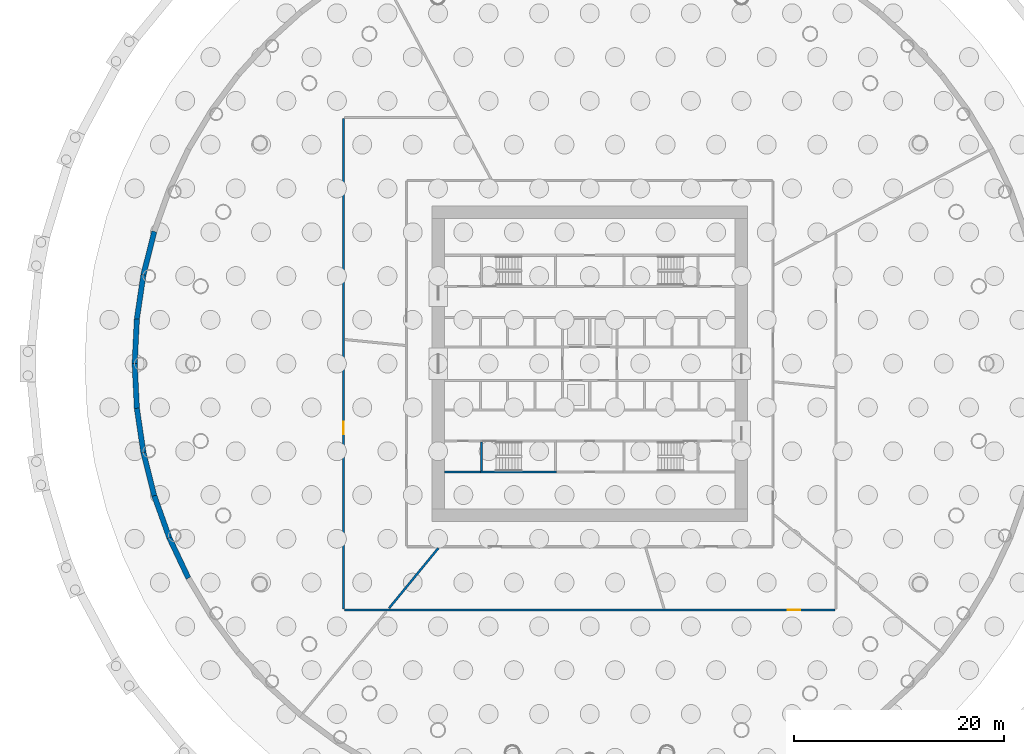
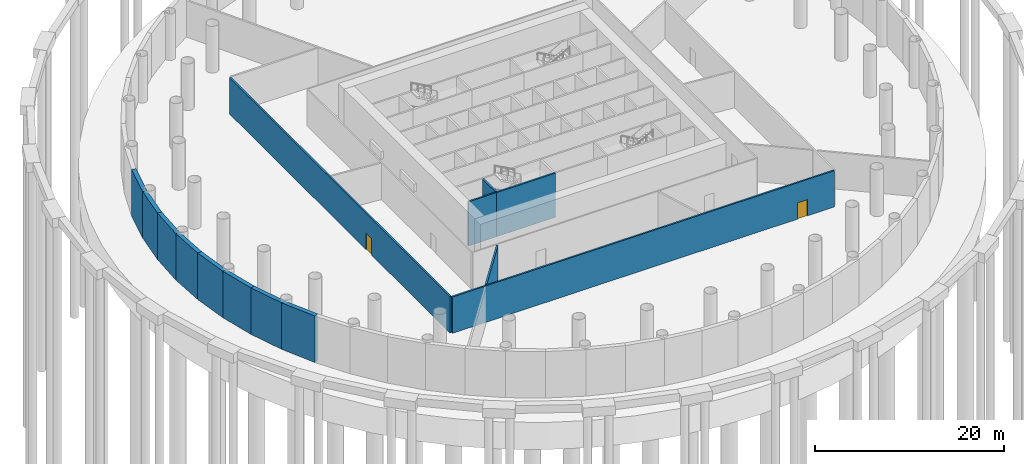
# One storey, part 5 of 12: 14 walls, 2 doors, 2 openings.
"""IFC4 building model written with IfcOpenShell, lengths in metres."""

from ifc_helpers import new_model, si_unit, direction, frame, frame_2d, origin, place, context, subcontext, project, spatial, polyline, rectangle, outline, extrude, material, layer, layer_set, type_object, element, fill, save


model = new_model("IFC4")

# Units and contexts
model_context = context("Model", 3, precision=1e-05, world=origin(), true_north=direction((0.0, 1.0)))
body_context = subcontext(model_context, "Body", "Model", "MODEL_VIEW")
ifc_project = project(units=[si_unit("LENGTHUNIT", "METRE"), si_unit("AREAUNIT", "SQUARE_METRE"), si_unit("VOLUMEUNIT", "CUBIC_METRE"), si_unit("PLANEANGLEUNIT", "RADIAN"), si_unit("MASSUNIT", "GRAM", prefix="KILO")], contexts=[model_context])

# Site, building, storey
site_placement = place(None, origin())
site = spatial("IfcSite", under=ifc_project, at=site_placement, CompositionType="ELEMENT")
building_placement = place(site_placement, origin())
building = spatial("IfcBuilding", under=site, at=building_placement, Name="Corvane Civic Tower", CompositionType="ELEMENT")
storey_placement = place(building_placement, frame((0.0, 0.0, -6.0)))
storey = spatial("IfcBuildingStorey", under=building, at=storey_placement, Name="B1", CompositionType="ELEMENT", Elevation=-6.0)

# Walls
ifc_material_1 = material(Name="Concrete C40/50", Category="concrete")
ifc_layer_1 = layer(ifc_material_1, 0.5)
ifc_layer_set_1 = layer_set([ifc_layer_1], Name="Concrete C40/50")
wall_type_1 = type_object("IfcWallType", Name="BASEMENT RETAINING WALL 500", PredefinedType="SOLIDWALL", material=ifc_layer_set_1)
wall_1_placement = place(storey_placement, frame((0.0, 0.0, -0.300048828125)))
element("IfcWall", 1, at=wall_1_placement, inside=storey, type_object=wall_type_1, Name="Basement retaining wall 14", PredefinedType="SOLIDWALL", context=body_context, shape_type="SweptSolid", body=[
    extrude(outline(polyline([(-41.1484375, 12.482177734375), (-42.173828125, 8.388916015625), (-42.664794921875, 8.486572265625), (-41.62744140625, 12.62744140625), (-41.1484375, 12.482177734375)])), origin(), (0.0, 0.0, 1.0), 6.0),
])
wall_2_placement = place(storey_placement, frame((0.0, 0.0, -0.300048828125)))
element("IfcWall", 2, at=wall_2_placement, inside=storey, type_object=wall_type_1, Name="Basement retaining wall 15", PredefinedType="SOLIDWALL", context=body_context, shape_type="SweptSolid", body=[
    extrude(outline(polyline([(-42.173828125, 8.388916015625), (-42.79296875, 4.21484375), (-43.291015625, 4.263916015625), (-42.664794921875, 8.486572265625), (-42.173828125, 8.388916015625)])), origin(), (0.0, 0.0, 1.0), 6.0),
])
wall_3_placement = place(storey_placement, frame((0.0, 0.0, -0.300048828125)))
element("IfcWall", 3, at=wall_3_placement, inside=storey, type_object=wall_type_1, Name="Basement retaining wall 16", PredefinedType="SOLIDWALL", context=body_context, shape_type="SweptSolid", body=[
    extrude(outline(polyline([(-42.79296875, 4.21484375), (-43.0, 0.0), (-43.50048828125, 0.0), (-43.291015625, 4.263916015625), (-42.79296875, 4.21484375)])), origin(), (0.0, 0.0, 1.0), 6.0),
])
wall_4_placement = place(storey_placement, frame((0.0, 0.0, -0.300048828125)))
element("IfcWall", 4, at=wall_4_placement, inside=storey, type_object=wall_type_1, Name="Basement retaining wall 17", PredefinedType="SOLIDWALL", context=body_context, shape_type="SweptSolid", body=[
    extrude(outline(polyline([(-43.0, 0.0), (-42.79296875, -4.21484375), (-43.291015625, -4.263916015625), (-43.50048828125, 0.0), (-43.0, 0.0)])), origin(), (0.0, 0.0, 1.0), 6.0),
])
wall_5_placement = place(storey_placement, frame((0.0, 0.0, -0.300048828125)))
element("IfcWall", 5, at=wall_5_placement, inside=storey, type_object=wall_type_1, Name="Basement retaining wall 18", PredefinedType="SOLIDWALL", context=body_context, shape_type="SweptSolid", body=[
    extrude(outline(polyline([(-42.79296875, -4.21484375), (-42.173828125, -8.388916015625), (-42.664794921875, -8.486572265625), (-43.291015625, -4.263916015625), (-42.79296875, -4.21484375)])), origin(), (0.0, 0.0, 1.0), 6.0),
])
wall_6_placement = place(storey_placement, frame((0.0, 0.0, -0.300048828125)))
element("IfcWall", 6, at=wall_6_placement, inside=storey, type_object=wall_type_1, Name="Basement retaining wall 19", PredefinedType="SOLIDWALL", context=body_context, shape_type="SweptSolid", body=[
    extrude(outline(polyline([(-42.173828125, -8.388916015625), (-41.1484375, -12.482177734375), (-41.62744140625, -12.62744140625), (-42.664794921875, -8.486572265625), (-42.173828125, -8.388916015625)])), origin(), (0.0, 0.0, 1.0), 6.0),
])
wall_7_placement = place(storey_placement, frame((0.0, 0.0, -0.300048828125)))
element("IfcWall", 7, at=wall_7_placement, inside=storey, type_object=wall_type_1, Name="Basement retaining wall 20", PredefinedType="SOLIDWALL", context=body_context, shape_type="SweptSolid", body=[
    extrude(outline(polyline([(-41.1484375, -12.482177734375), (-39.726806640625, -16.455322265625), (-40.189208984375, -16.64697265625), (-41.62744140625, -12.62744140625), (-41.1484375, -12.482177734375)])), origin(), (0.0, 0.0, 1.0), 6.0),
])
wall_8_placement = place(storey_placement, frame((0.0, 0.0, -0.300048828125)))
element("IfcWall", 8, at=wall_8_placement, inside=storey, type_object=wall_type_1, Name="Basement retaining wall 21", PredefinedType="SOLIDWALL", context=body_context, shape_type="SweptSolid", body=[
    extrude(outline(polyline([(-39.726806640625, -16.455322265625), (-37.922607421875, -20.27001953125), (-38.364013671875, -20.506103515625), (-40.189208984375, -16.64697265625), (-39.726806640625, -16.455322265625)])), origin(), (0.0, 0.0, 1.0), 6.0),
])
ifc_material_2 = material(Name="Concrete C30/37", Category="concrete")
ifc_layer_2 = layer(ifc_material_2, 0.199951171875)
ifc_layer_set_2 = layer_set([ifc_layer_2], Name="Concrete C30/37")
wall_type_2 = type_object("IfcWallType", Name="CR-WALL-200", PredefinedType="PARTITIONING", material=ifc_layer_set_2)
wall_9_placement = place(storey_placement, origin())
element("IfcWall", 9, at=wall_9_placement, inside=storey, type_object=wall_type_2, Name="B1 core partition wall", PredefinedType="PARTITIONING", context=body_context, shape_type="SweptSolid", body=[
    extrude(outline(polyline([(-10.39990234375, -10.39990234375), (-13.800048828125, -10.39990234375), (-13.800048828125, -10.199951171875), (-10.39990234375, -10.199951171875), (-10.39990234375, -10.39990234375)])), origin(), (0.0, 0.0, 1.0), 5.699951171875),
])

# Wall, opening, door
ifc_material_3 = material(Name="Gypsum fibreboard")
ifc_layer_3 = layer(ifc_material_3, 0.199951171875)
ifc_layer_set_3 = layer_set([ifc_layer_3], Name="Gypsum fibreboard")
wall_type_3 = type_object("IfcWallType", Name="Plant and refuge wall 200 EI 120", PredefinedType="PARTITIONING", material=ifc_layer_set_3)
wall_10_placement = place(storey_placement, frame((-23.300048828125, -23.39990234375, 0.0), z_axis=(0.0, 0.0, 1.0), x_axis=(1.0, 0.0, 0.0)))
wall_10 = element("IfcWall", 10, at=wall_10_placement, inside=storey, type_object=wall_type_3, Name="Partition B1.003", PredefinedType="PARTITIONING", context=body_context, shape_type="SweptSolid", body=[
    extrude(rectangle(XDim=46.60009765625, YDim=0.199951171875, at=frame_2d((23.300048828125, 0.0))), origin(), (0.0, 0.0, 1.0), 4.699951171875),
])
opening_1_placement = place(wall_10_placement, frame((42.12548828125, 0.0, 0.0)))
opening_1 = element("IfcOpeningElement", 11, at=opening_1_placement, cuts=wall_10, Name="Opening B1.008", PredefinedType="OPENING", context=body_context, shape_type="SweptSolid", body=[
    extrude(rectangle(XDim=1.199951171875, YDim=2.10009765625, at=frame_2d((0.60009765625, 1.050048828125))), frame((0.0, 0.10986328125, 0.0), z_axis=(0.0, -1.0, 0.0), x_axis=(1.0, 0.0, 0.0)), (0.0, 0.0, 1.0), 0.219970703125),
])
ifc_material_4 = material(Name="Steel and timber", Category="steel")
door_type = type_object("IfcDoorType", Name="Fire door FD60 1200", OperationType="NOTDEFINED", PredefinedType="DOOR", material=ifc_material_4)
door_1_placement = place(opening_1_placement, frame((1.199951171875, 0.0, 0.0), z_axis=(0.0, 0.0, 1.0), x_axis=(-1.0, 0.0, 0.0)))
door_1 = element("IfcDoor", 12, at=door_1_placement, inside=storey, type_object=door_type, Name="Door B1.008", OperationType="SINGLE_SWING_LEFT", OverallHeight=2.10009765625, OverallWidth=1.199951171875, PredefinedType="DOOR", context=body_context, shape_type="SweptSolid", body=[
    extrude(rectangle(XDim=1.199951171875, YDim=2.10009765625, at=frame_2d((0.60009765625, 1.050048828125))), frame((0.0, 0.02490234375, 0.0), z_axis=(0.0, -1.0, 0.0), x_axis=(1.0, 0.0, 0.0)), (0.0, 0.0, 1.0), 0.050048828125),
])
fill(opening_1, door_1)

wall_11_placement = place(storey_placement, frame((-23.39990234375, -23.300048828125, 0.0), z_axis=(0.0, 0.0, 1.0), x_axis=(0.0, 1.0, 0.0)))
wall_11 = element("IfcWall", 13, at=wall_11_placement, inside=storey, type_object=wall_type_3, Name="Partition B1.004", PredefinedType="PARTITIONING", context=body_context, shape_type="SweptSolid", body=[
    extrude(rectangle(XDim=46.60009765625, YDim=0.199951171875, at=frame_2d((23.300048828125, 0.0))), origin(), (0.0, 0.0, 1.0), 4.699951171875),
])
opening_2_placement = place(wall_11_placement, frame((16.57470703125, 0.0, 0.0)))
opening_2 = element("IfcOpeningElement", 14, at=opening_2_placement, cuts=wall_11, Name="Opening B1.001", PredefinedType="OPENING", context=body_context, shape_type="SweptSolid", body=[
    extrude(rectangle(XDim=1.199951171875, YDim=2.10009765625, at=frame_2d((0.60009765625, 1.050048828125))), frame((0.0, 0.10986328125, 0.0), z_axis=(0.0, -1.0, 0.0), x_axis=(1.0, 0.0, 0.0)), (0.0, 0.0, 1.0), 0.219970703125),
])
door_2_placement = place(opening_2_placement, origin())
door_2 = element("IfcDoor", 15, at=door_2_placement, inside=storey, type_object=door_type, Name="Door B1.001", OperationType="SINGLE_SWING_LEFT", OverallHeight=2.10009765625, OverallWidth=1.199951171875, PredefinedType="DOOR", context=body_context, shape_type="SweptSolid", body=[
    extrude(rectangle(XDim=1.199951171875, YDim=2.10009765625, at=frame_2d((0.60009765625, 1.050048828125))), frame((0.0, 0.02490234375, 0.0), z_axis=(0.0, -1.0, 0.0), x_axis=(1.0, 0.0, 0.0)), (0.0, 0.0, 1.0), 0.050048828125),
])
fill(opening_2, door_2)

# Walls
wall_12_placement = place(storey_placement, frame((-19.071044921875, -23.23828125, 0.0), z_axis=(0.0, 0.0, 1.0), x_axis=(0.634385613037, 0.77301674883, 0.0)))
element("IfcWall", 16, at=wall_12_placement, inside=storey, type_object=wall_type_3, Name="Partition B1.005", PredefinedType="PARTITIONING", context=body_context, shape_type="SweptSolid", body=[
    extrude(rectangle(XDim=7.37353515625, YDim=0.199951171875, at=frame_2d((3.686767578125, 0.0))), origin(), (0.0, 0.0, 1.0), 4.699951171875),
])
ifc_material_5 = material(Name="Concrete C50/60", Category="concrete")
ifc_layer_4 = layer(ifc_material_5, 0.199951171875)
ifc_layer_set_4 = layer_set([ifc_layer_4], Name="Concrete C50/60")
wall_type_4 = type_object("IfcWallType", Name="ST-WALL-200", PredefinedType="SHEAR", material=ifc_layer_set_4)
wall_13_placement = place(storey_placement, origin())
element("IfcWall", 17, at=wall_13_placement, inside=storey, type_object=wall_type_4, Name="B1 stair enclosure wall", PredefinedType="SHEAR", context=body_context, shape_type="SweptSolid", body=[
    extrude(outline(polyline([(-3.14990234375, -10.199951171875), (-3.14990234375, -10.39990234375), (-10.39990234375, -10.39990234375), (-10.39990234375, -10.199951171875), (-3.14990234375, -10.199951171875)])), origin(), (0.0, 0.0, 1.0), 5.699951171875),
])
wall_14_placement = place(storey_placement, origin())
element("IfcWall", 18, at=wall_14_placement, inside=storey, type_object=wall_type_4, Name="B1 stair enclosure wall", PredefinedType="SHEAR", context=body_context, shape_type="SweptSolid", body=[
    extrude(outline(polyline([(-10.199951171875, -7.449951171875), (-10.199951171875, -10.199951171875), (-10.39990234375, -10.199951171875), (-10.39990234375, -7.449951171875), (-10.199951171875, -7.449951171875)])), origin(), (0.0, 0.0, 1.0), 5.699951171875),
])

save(model, "model.ifc")
